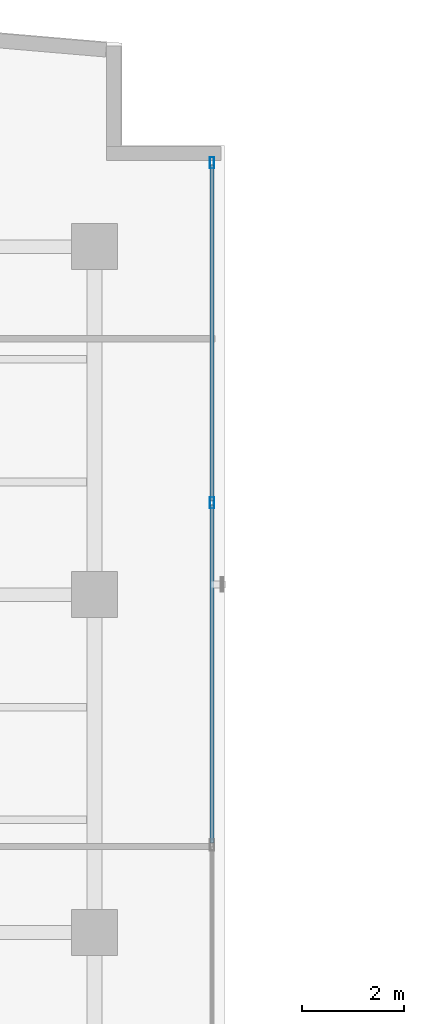
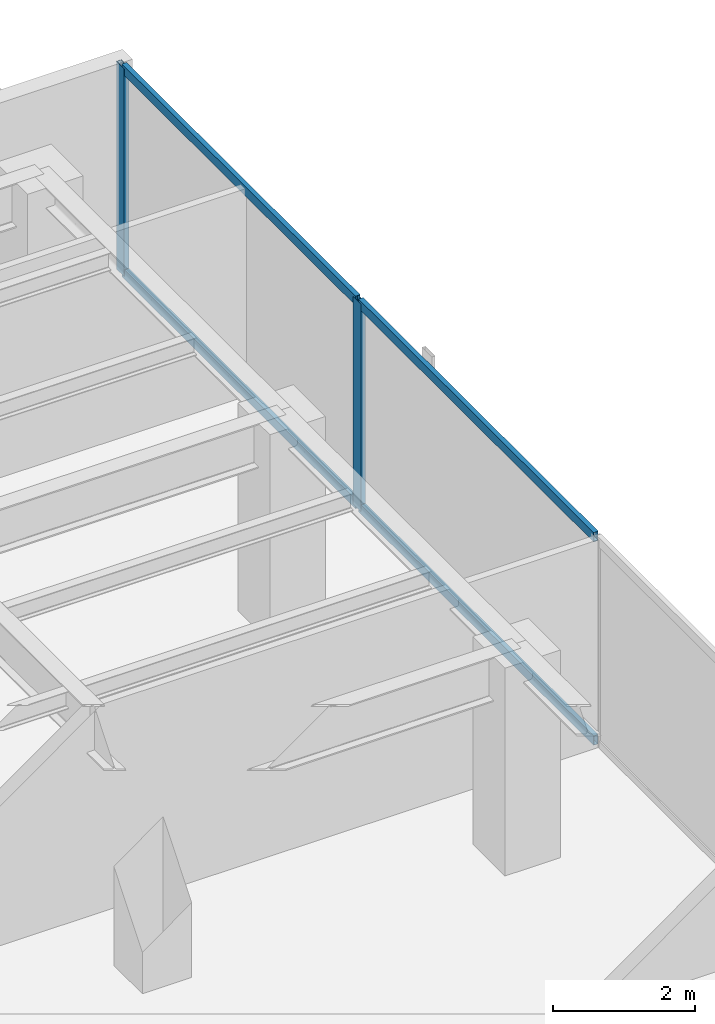
# One storey, part 15 of 24: 6 members, 1 element without a shape of its own.
"""IFC4 building model written with IfcOpenShell, lengths in metres."""

import ifcopenshell
import ifcopenshell.guid

model = None  # the IFC model being written
_history = None  # IfcOwnerHistory: only IFC2X3 demands one
_inside = {}  # id of a spatial element -> (the spatial element, [elements in it])
_under = {}  # id of a project, library or spatial element -> (it, [spatial elements below it])
_declared = {}  # id of a project -> (the project, [libraries it declares])
_typed = {}  # id of a type object -> (the type object, [elements of that type])
_made_of = {}  # id of a material, layer set ... -> (it, [elements and type objects made of it])


def new_model(schema):
    """Start an empty IFC model of exactly this schema.

    Asked for "IFC4X3", IfcOpenShell would pick the latest addendum, in which some entities
    have other attributes; the version numbers below select the first issue.
    IFC2X3 requires an IfcOwnerHistory on every rooted entity: one is made here for all.
    """
    global model, _history
    if schema == "IFC4X3":
        model = ifcopenshell.file(schema_version=(4, 3, 0, 0))
    else:
        model = ifcopenshell.file(schema=schema)
    _inside.clear()
    _under.clear()
    _declared.clear()
    _typed.clear()
    _made_of.clear()
    _history = None
    if model.schema == "IFC2X3":
        org = make("IfcOrganization", Name="unknown")
        user = make(
            "IfcPersonAndOrganization",
            ThePerson=make("IfcPerson", FamilyName="unknown"),
            TheOrganization=org,
        )
        app = make(
            "IfcApplication",
            ApplicationDeveloper=org,
            Version="unknown",
            ApplicationFullName="unknown",
            ApplicationIdentifier="unknown",
        )
        _history = make(
            "IfcOwnerHistory",
            OwningUser=user,
            OwningApplication=app,
            ChangeAction="ADDED",
            CreationDate=0,
        )
    return model


def make(cls, **values):
    """One entity of the class cls with the attributes given. An attribute that is None is left unset."""
    return model.create_entity(
        cls, **{name: value for name, value in values.items() if value is not None}
    )


def rooted(cls, **values):
    """An entity with a GlobalId (a new one), such as an element, a storey or a relation."""
    return make(cls, GlobalId=ifcopenshell.guid.new(), OwnerHistory=_history, **values)


def si_unit(unit_type, name, prefix=None):
    """IfcSIUnit, for example si_unit("LENGTHUNIT", "METRE", prefix="MILLI")."""
    return make("IfcSIUnit", UnitType=unit_type, Prefix=prefix, Name=name)


def assignment(units):
    """IfcUnitAssignment: the units of a project."""
    return None if units is None else make("IfcUnitAssignment", Units=units)


def point(xyz):
    """IfcCartesianPoint."""
    return None if xyz is None else make("IfcCartesianPoint", Coordinates=xyz)


def direction(xyz):
    """IfcDirection."""
    return None if xyz is None else make("IfcDirection", DirectionRatios=xyz)


def frame(location, z_axis=None, x_axis=None):
    """IfcAxis2Placement3D, a coordinate frame: its origin and axes. An axis left out is left unset."""
    return make(
        "IfcAxis2Placement3D",
        Location=point(location),
        Axis=direction(z_axis),
        RefDirection=direction(x_axis),
    )


def frame_2d(location, x_axis=None):
    """IfcAxis2Placement2D, a coordinate frame in the plane: its origin and x axis."""
    return make(
        "IfcAxis2Placement2D", Location=point(location), RefDirection=direction(x_axis)
    )


def origin():
    """The frame at (0, 0, 0) with its axes left unset."""
    return frame((0.0, 0.0, 0.0))


def origin_with_axes():
    """The frame at (0, 0, 0) with the z axis (0, 0, 1) and the x axis (1, 0, 0) written out."""
    return frame((0.0, 0.0, 0.0), z_axis=(0.0, 0.0, 1.0), x_axis=(1.0, 0.0, 0.0))


def origin_2d():
    """The frame at (0, 0) in the plane with its x axis left unset."""
    return frame_2d((0.0, 0.0))


def place(relative_to, where):
    """IfcLocalPlacement: puts the frame where relative to a parent placement (None: the world)."""
    return make(
        "IfcLocalPlacement", PlacementRelTo=relative_to, RelativePlacement=where
    )


def context(
    kind, dimensions, precision=None, world=None, true_north=None, identifier=None
):
    """IfcGeometricRepresentationContext, for example the 3D "Model" context."""
    return make(
        "IfcGeometricRepresentationContext",
        ContextIdentifier=identifier,
        ContextType=kind,
        CoordinateSpaceDimension=dimensions,
        Precision=precision,
        WorldCoordinateSystem=world,
        TrueNorth=true_north,
    )


def subcontext(parent, identifier, kind, view, scale=None):
    """IfcGeometricRepresentationSubContext, for example "Body" below "Model"."""
    return make(
        "IfcGeometricRepresentationSubContext",
        ContextIdentifier=identifier,
        ContextType=kind,
        ParentContext=parent,
        TargetScale=scale,
        TargetView=view,
    )


def project(units=None, contexts=None):
    """IfcProject with its units and contexts."""
    return rooted(
        "IfcProject",
        Name="project",
        RepresentationContexts=contexts,
        UnitsInContext=assignment(units),
    )


def spatial(cls, under=None, at=None, **own):
    """A site, building, storey or space (cls), placed at a placement, below another one or the project."""
    s = rooted(cls, ObjectPlacement=at, **own)
    if under is not None:
        _under.setdefault(under.id(), (under, []))[1].append(s)
    return s


def profile(cls, at=None, kind="AREA", **sizes):
    """A parametric profile (cls). Its sizes go by their IFC names, for example OverallWidth=200.0."""
    return make(cls, ProfileType=kind, Position=at, **sizes)


def hollow_rectangle(**sizes):
    """IfcRectangleHollowProfileDef."""
    return profile("IfcRectangleHollowProfileDef", **sizes)


def extrude(swept, where, along, depth):
    """IfcExtrudedAreaSolid: the profile swept, set in the frame where, extruded along a direction by depth."""
    return make(
        "IfcExtrudedAreaSolid",
        SweptArea=swept,
        Position=where,
        ExtrudedDirection=direction(along),
        Depth=depth,
    )


def shape(context_of_items, identifier, shape_type, items):
    """IfcShapeRepresentation: the items that make up one representation, for example the "Body"."""
    return make(
        "IfcShapeRepresentation",
        ContextOfItems=context_of_items,
        RepresentationIdentifier=identifier,
        RepresentationType=shape_type,
        Items=items,
    )


def source(mapping_origin, context_of_items, identifier, shape_type, items):
    """IfcRepresentationMap: a shape defined once, which mapped items show again and again."""
    return make(
        "IfcRepresentationMap",
        MappingOrigin=mapping_origin,
        MappedRepresentation=shape(context_of_items, identifier, shape_type, items),
    )


def transform(
    local_origin,
    x_axis=None,
    y_axis=None,
    z_axis=None,
    scale=None,
    scale2=None,
    scale3=None,
    uniform=True,
):
    """IfcCartesianTransformationOperator3D, or its non-uniform kind. x_axis, y_axis, z_axis: its Axis1, 2, 3."""
    if uniform:
        return make(
            "IfcCartesianTransformationOperator3D",
            Axis1=direction(x_axis),
            Axis2=direction(y_axis),
            LocalOrigin=point(local_origin),
            Scale=scale,
            Axis3=direction(z_axis),
        )
    return make(
        "IfcCartesianTransformationOperator3DnonUniform",
        Axis1=direction(x_axis),
        Axis2=direction(y_axis),
        LocalOrigin=point(local_origin),
        Scale=scale,
        Axis3=direction(z_axis),
        Scale2=scale2,
        Scale3=scale3,
    )


def mapped(mapping_source, mapping_target):
    """IfcMappedItem: shows the shape of a source again, moved by a transform."""
    return make(
        "IfcMappedItem", MappingSource=mapping_source, MappingTarget=mapping_target
    )


def material(Name=None, Category=None):
    """IfcMaterial."""
    return make("IfcMaterial", Name=Name, Category=Category)


def layer(
    of_material, thickness, ventilated=None, Name=None, Category=None, Priority=None
):
    """IfcMaterialLayer: one layer of a wall or slab, of a material (None: an air gap)."""
    return make(
        "IfcMaterialLayer",
        Material=of_material,
        LayerThickness=thickness,
        IsVentilated=ventilated,
        Name=Name,
        Category=Category,
        Priority=Priority,
    )


def layer_set(layers, Name=None):
    """IfcMaterialLayerSet."""
    return make("IfcMaterialLayerSet", MaterialLayers=layers, LayerSetName=Name)


def material_profile(
    of_material, cross_section, Name=None, Category=None, Priority=None
):
    """IfcMaterialProfile: a cross section and its material."""
    return make(
        "IfcMaterialProfile",
        Name=Name,
        Material=of_material,
        Profile=cross_section,
        Priority=Priority,
        Category=Category,
    )


def profile_set(profiles, Name=None, composite=None):
    """IfcMaterialProfileSet."""
    return make(
        "IfcMaterialProfileSet",
        Name=Name,
        MaterialProfiles=profiles,
        CompositeProfile=composite,
    )


def made_of(thing, what):
    """Note that an element or type object is made of a material, layer set ...; save() writes the relation."""
    if what is not None:
        _made_of.setdefault(what.id(), (what, []))[1].append(thing)
    return thing


def type_object(cls, material=None, **own):
    """A type object (cls), such as IfcWallType, which elements share."""
    return made_of(rooted(cls, **own), material)


def element(
    cls,
    number,
    at=None,
    inside=None,
    cuts=None,
    type_object=None,
    material=None,
    context=None,
    identifier="Body",
    shape_type=None,
    held_by="IfcProductDefinitionShape",
    body=None,
    shapes=None,
    **own,
):
    """One element of the class cls, such as IfcWall. Its Tag is "e" and its number.

    at: its placement. inside: the storey or other place that contains it. cuts: it is an
    opening in that element (IfcRelVoidsElement). A single representation is given by context,
    identifier, shape_type and body (its items); several are given by shapes. held_by: the class
    of the entity that holds the representations. save() writes the other relations.
    """
    e = rooted(cls, Tag="e%d" % number, ObjectPlacement=at, **own)
    if body is not None:
        shapes = [shape(context, identifier, shape_type, body)]
    if shapes is not None:
        e.Representation = make(held_by, Representations=shapes)
    if inside is not None:
        _inside.setdefault(inside.id(), (inside, []))[1].append(e)
    if cuts is not None:
        rooted(
            "IfcRelVoidsElement", RelatingBuildingElement=cuts, RelatedOpeningElement=e
        )
    if type_object is not None:
        _typed.setdefault(type_object.id(), (type_object, []))[1].append(e)
    return made_of(e, material)


def aggregate(whole, parts):
    """IfcRelAggregates: a whole, such as a stair, and the parts it consists of."""
    return rooted("IfcRelAggregates", RelatingObject=whole, RelatedObjects=parts)


def save(model, path):
    """Write the relations noted so far, then the file.

    IfcRelAggregates (storeys below a building ...), IfcRelContainedInSpatialStructure (elements
    in a storey), IfcRelDefinesByType, IfcRelAssociatesMaterial and IfcRelDeclares: one each for
    every whole, place, type object, material and project.
    """
    for whole, parts in _under.values():
        aggregate(whole, parts)
    for where, things in _inside.values():
        rooted(
            "IfcRelContainedInSpatialStructure",
            RelatedElements=things,
            RelatingStructure=where,
        )
    for kind, things in _typed.values():
        rooted("IfcRelDefinesByType", RelatedObjects=things, RelatingType=kind)
    for what, things in _made_of.values():
        rooted("IfcRelAssociatesMaterial", RelatedObjects=things, RelatingMaterial=what)
    for by, libraries in _declared.values():
        rooted("IfcRelDeclares", RelatingContext=by, RelatedDefinitions=libraries)
    model.write(path)


model = new_model("IFC4")

# Units and contexts
model_context = context("Model", 3, precision=1e-05, world=origin(), true_north=direction((0.0, 1.0)))
body_context = subcontext(model_context, "Body", "Model", "MODEL_VIEW")
ifc_project = project(units=[si_unit("LENGTHUNIT", "METRE"), si_unit("AREAUNIT", "SQUARE_METRE"), si_unit("VOLUMEUNIT", "CUBIC_METRE"), si_unit("PLANEANGLEUNIT", "RADIAN"), si_unit("MASSUNIT", "GRAM", prefix="KILO")], contexts=[model_context])

# Site, building, storey
site_placement = place(None, origin())
site = spatial("IfcSite", under=ifc_project, at=site_placement, CompositionType="ELEMENT")
building_placement = place(site_placement, origin())
building = spatial("IfcBuilding", under=site, at=building_placement, Name="Kolvaren Waterfront Exchange", CompositionType="ELEMENT")
storey_placement = place(building_placement, frame((0.0, 0.0, 285.60009765625)))
storey = spatial("IfcBuildingStorey", under=building, at=storey_placement, Name="L73", CompositionType="ELEMENT", Elevation=285.60009765625)

# Curtain wall, members
ifc_material_1 = material(Name="Anodised bronze aluminium 6063-T6", Category="aluminium")
ifc_layer = layer(ifc_material_1, 0.219970703125, Name="Anodised bronze aluminium 6063-T6")
ifc_layer_set = layer_set([ifc_layer], Name="Anodised bronze aluminium 6063-T6")
curtain_wall_type = type_object("IfcCurtainWallType", Name="ARC-CW-SYS1", PredefinedType="USERDEFINED", material=ifc_layer_set)
curtain_wall_placement = place(storey_placement, origin())
curtain_wall = element("IfcCurtainWall", 1, at=curtain_wall_placement, inside=storey, type_object=curtain_wall_type, Name="L73 stick curtain wall CW1 (CW-L73-NE)", ObjectType="STICK CURTAIN WALL", PredefinedType="USERDEFINED")
ifc_material_2 = material(Name="Anodised aluminium 6063-T6", Category="aluminium")
ifc_material_profile_1 = material_profile(ifc_material_2, hollow_rectangle(XDim=0.080078125, YDim=0.219970703125, WallThickness=0.0048828125, at=origin_2d()), Name="ALU-MUL-220x80x5")
ifc_profile_set_1 = profile_set([ifc_material_profile_1], Name="Anodised aluminium 6063-T6")
member_type_1 = type_object("IfcMemberType", Name="ARC-CWM-220", PredefinedType="MULLION", material=ifc_profile_set_1)
shared_shape_1 = source(origin_with_axes(), body_context, "Body", "SweptSolid", [
    extrude(hollow_rectangle(XDim=0.080078125, YDim=0.219970703125, WallThickness=0.0048828125, at=origin_2d()), origin(), (0.0, 0.0, 1.0), 3.559814453125),
])
member_1_placement = place(storey_placement, frame((21.0966796875, 39.594970703125, 0.0), z_axis=(0.0, 0.0, 1.0), x_axis=(-1.0, 0.0, 0.0)))
member_1 = element("IfcMember", 2, at=member_1_placement, type_object=member_type_1, Name="CW1 mullion 3", PredefinedType="MULLION", context=body_context, shape_type="MappedRepresentation", body=[
    mapped(shared_shape_1, transform((0.0, 0.0, 0.0), x_axis=(1.0, 0.0, 0.0), y_axis=(0.0, 1.0, 0.0), z_axis=(0.0, 0.0, 1.0), scale=1.0)),
])
member_2_placement = place(storey_placement, frame((21.0966796875, 46.239013671875, 0.0), z_axis=(0.0, 0.0, 1.0), x_axis=(-1.0, 0.0, 0.0)))
member_2 = element("IfcMember", 3, at=member_2_placement, type_object=member_type_1, Name="CW1 mullion 4", PredefinedType="MULLION", context=body_context, shape_type="MappedRepresentation", body=[
    mapped(shared_shape_1, transform((0.0, 0.0, 0.0), x_axis=(1.0, 0.0, 0.0), y_axis=(0.0, 1.0, 0.0), z_axis=(0.0, 0.0, 1.0), scale=1.0)),
])
ifc_material_profile_2 = material_profile(ifc_material_2, hollow_rectangle(XDim=0.074951171875, YDim=0.159912109375, WallThickness=0.00439453125, at=origin_2d()), Name="ALU-TRN-160x75x4.5")
ifc_profile_set_2 = profile_set([ifc_material_profile_2], Name="Anodised aluminium 6063-T6")
member_type_2 = type_object("IfcMemberType", Name="ARC-CWT-160", PredefinedType="USERDEFINED", material=ifc_profile_set_2)
shared_shape_2 = source(origin_with_axes(), body_context, "Body", "SweptSolid", [
    extrude(hollow_rectangle(XDim=0.074951171875, YDim=0.159912109375, WallThickness=0.00439453125, at=origin_2d()), origin(), (0.0, 0.0, 1.0), 6.60400390625),
])
member_3_placement = place(storey_placement, frame((21.0966796875, 32.950927734375, 0.037353515625), z_axis=(0.0, 1.0, 0.0), x_axis=(-1.0, 0.0, 0.0)))
member_3 = element("IfcMember", 4, at=member_3_placement, type_object=member_type_2, Name="CW1 transom 2.1", ObjectType="TRANSOM", PredefinedType="USERDEFINED", context=body_context, shape_type="MappedRepresentation", body=[
    mapped(shared_shape_2, transform((0.0, 0.0, 0.0), x_axis=(1.0, 0.0, 0.0), y_axis=(0.0, 1.0, 0.0), z_axis=(0.0, 0.0, 1.0), scale=1.0)),
])
member_4_placement = place(storey_placement, frame((21.0966796875, 32.950927734375, 3.5224609375), z_axis=(0.0, 1.0, 0.0), x_axis=(-1.0, 0.0, 0.0)))
member_4 = element("IfcMember", 5, at=member_4_placement, type_object=member_type_2, Name="CW1 transom 2.2", ObjectType="TRANSOM", PredefinedType="USERDEFINED", context=body_context, shape_type="MappedRepresentation", body=[
    mapped(shared_shape_2, transform((0.0, 0.0, 0.0), x_axis=(1.0, 0.0, 0.0), y_axis=(0.0, 1.0, 0.0), z_axis=(0.0, 0.0, 1.0), scale=1.0)),
])
shared_shape_3 = source(origin_with_axes(), body_context, "Body", "SweptSolid", [
    extrude(hollow_rectangle(XDim=0.074951171875, YDim=0.159912109375, WallThickness=0.00439453125, at=origin_2d()), origin(), (0.0, 0.0, 1.0), 6.564208984375),
])
member_5_placement = place(storey_placement, frame((21.0966796875, 39.634765625, 0.037353515625), z_axis=(0.0, 1.0, 0.0), x_axis=(-1.0, 0.0, 0.0)))
member_5 = element("IfcMember", 6, at=member_5_placement, type_object=member_type_2, Name="CW1 transom 3.1", ObjectType="TRANSOM", PredefinedType="USERDEFINED", context=body_context, shape_type="MappedRepresentation", body=[
    mapped(shared_shape_3, transform((0.0, 0.0, 0.0), x_axis=(1.0, 0.0, 0.0), y_axis=(0.0, 1.0, 0.0), z_axis=(0.0, 0.0, 1.0), scale=1.0)),
])
member_6_placement = place(storey_placement, frame((21.0966796875, 39.634765625, 3.5224609375), z_axis=(0.0, 1.0, 0.0), x_axis=(-1.0, 0.0, 0.0)))
member_6 = element("IfcMember", 7, at=member_6_placement, type_object=member_type_2, Name="CW1 transom 3.2", ObjectType="TRANSOM", PredefinedType="USERDEFINED", context=body_context, shape_type="MappedRepresentation", body=[
    mapped(shared_shape_3, transform((0.0, 0.0, 0.0), x_axis=(1.0, 0.0, 0.0), y_axis=(0.0, 1.0, 0.0), z_axis=(0.0, 0.0, 1.0), scale=1.0)),
])
aggregate(curtain_wall, [member_1, member_2, member_3, member_4, member_5, member_6])

save(model, "model.ifc")
